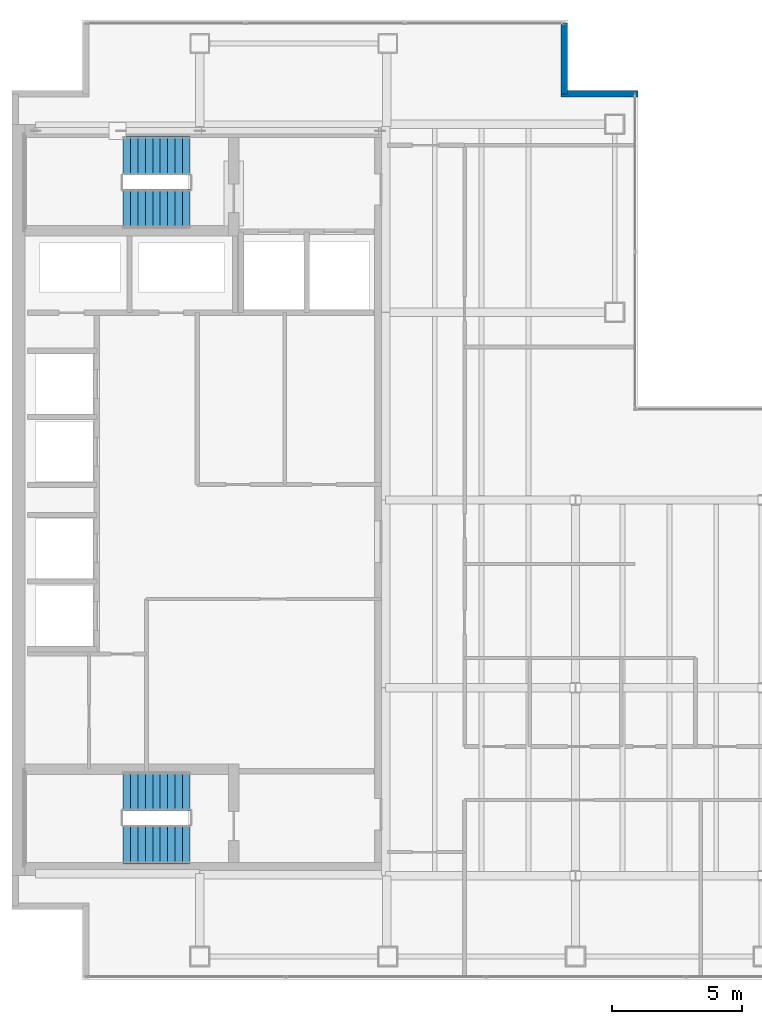
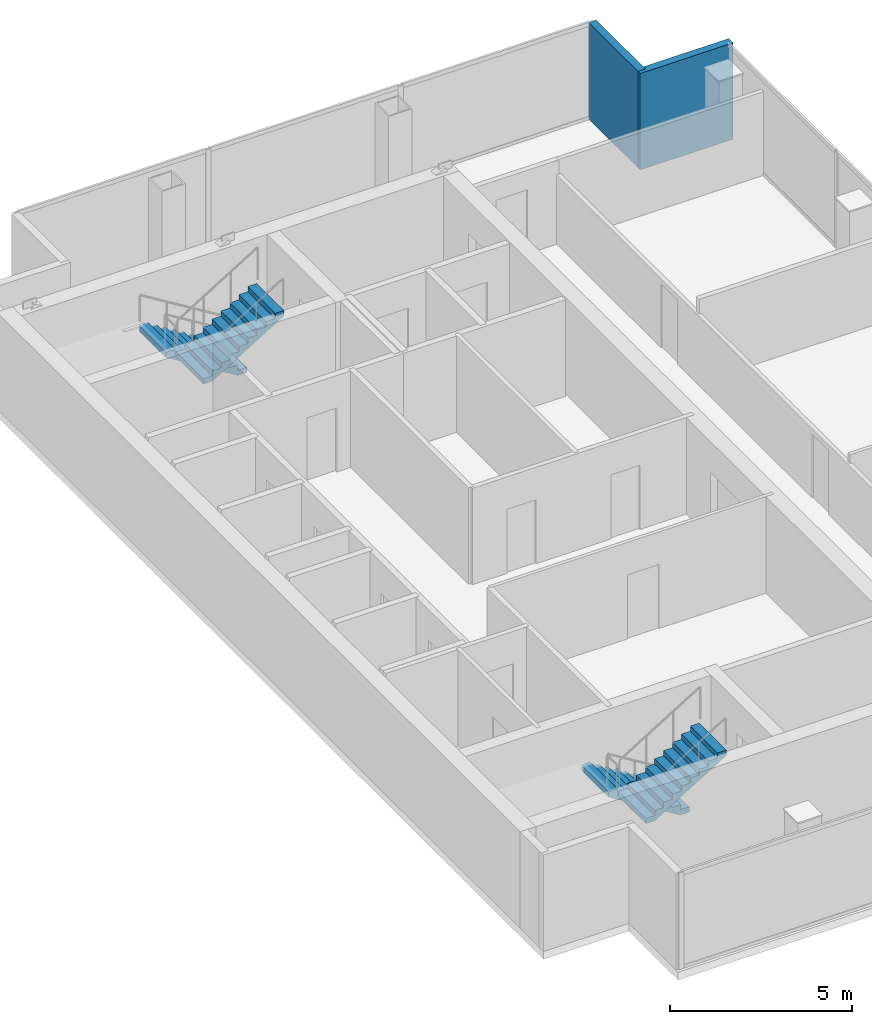
# One storey, part 22 of 23: 4 stair flights, 2 walls, 2 elements without a shape of their own.
"""IFC4 building model written with IfcOpenShell, lengths in metres."""

from ifc_helpers import new_model, si_unit, direction, frame, frame_2d, origin, place, context, subcontext, project, spatial, polyline, rectangle, outline, extrude, material, layer, layer_set, type_object, element, aggregate, save


model = new_model("IFC4")

# Units and contexts
model_context = context("Model", 3, precision=1e-05, world=origin(), true_north=direction((0.0, 1.0)))
body_context = subcontext(model_context, "Body", "Model", "MODEL_VIEW")
ifc_project = project(units=[si_unit("LENGTHUNIT", "METRE"), si_unit("AREAUNIT", "SQUARE_METRE"), si_unit("VOLUMEUNIT", "CUBIC_METRE"), si_unit("PLANEANGLEUNIT", "RADIAN"), si_unit("MASSUNIT", "GRAM", prefix="KILO")], contexts=[model_context])

# Site, building, storey
site_placement = place(None, origin())
site = spatial("IfcSite", under=ifc_project, at=site_placement, CompositionType="ELEMENT")
building_placement = place(site_placement, origin())
building = spatial("IfcBuilding", under=site, at=building_placement, Name="Cobrela Telecom Tower", CompositionType="ELEMENT")
storey_placement = place(building_placement, frame((0.0, 0.0, 229.25)))
storey = spatial("IfcBuildingStorey", under=building, at=storey_placement, Name="L59", CompositionType="ELEMENT", Elevation=229.25)

# Walls
ifc_material = material(Name="Concrete C40/50", Category="concrete")
ifc_layer = layer(ifc_material, 0.239990234375)
ifc_layer_set = layer_set([ifc_layer], Name="Concrete C40/50")
wall_type = type_object("IfcWallType", Name="WALL-EXT-300", PredefinedType="STANDARD", material=ifc_layer_set)
wall_1_placement = place(storey_placement, frame((21.169921875, 39.8798828125, 0.0), z_axis=(0.0, 0.0, 1.0), x_axis=(0.0, -1.0, 0.0)))
element("IfcWall", 1, at=wall_1_placement, inside=storey, type_object=wall_type, Name="L59 Insulated Facade Wall 08", PredefinedType="STANDARD", context=body_context, shape_type="SweptSolid", body=[
    extrude(rectangle(XDim=2.7099609375, YDim=0.239990234375, at=frame_2d((1.35498046875, 0.0))), origin(), (0.0, 0.0, 1.0), 3.239990234375),
])
wall_2_placement = place(storey_placement, frame((21.050048828125, 37.169921875, 0.0), z_axis=(0.0, 0.0, 1.0), x_axis=(1.0, 0.0, 0.0)))
element("IfcWall", 2, at=wall_2_placement, inside=storey, type_object=wall_type, Name="L59 Insulated Facade Wall 09", PredefinedType="STANDARD", context=body_context, shape_type="SweptSolid", body=[
    extrude(rectangle(XDim=2.949951171875, YDim=0.239990234375, at=frame_2d((1.47509765625, 0.0))), origin(), (0.0, 0.0, 1.0), 3.239990234375),
])

# Stair, stair flights
stair_type = type_object("IfcStairType", Name="STAIR-CORE", PredefinedType="HALF_TURN_STAIR", material=ifc_material)
stair_1_placement = place(storey_placement, origin())
stair_1 = element("IfcStair", 3, at=stair_1_placement, inside=storey, type_object=stair_type, Name="L59 Smokeproof Exit Stair ST1", PredefinedType="HALF_TURN_STAIR")
stair_flight_type = type_object("IfcStairFlightType", Name="FLIGHT-CORE", PredefinedType="STRAIGHT", material=ifc_material)
stair_flight_1_placement = place(storey_placement, frame((6.820068359375, 34.800048828125, 0.0), z_axis=(0.0, 0.0, 1.0), x_axis=(-1.0, 0.0, 0.0)))
stair_flight_1 = element("IfcStairFlight", 4, at=stair_flight_1_placement, type_object=stair_flight_type, Name="ST1 flight 1", NumberOfRisers=10, NumberOfTreads=9, PredefinedType="STRAIGHT", RiserHeight=0.175, TreadLength=0.285, context=body_context, shape_type="SweptSolid", body=[
    extrude(outline(polyline([(0.0, 0.0), (0.0, 0.175048828125), (0.284912109375, 0.175048828125), (0.284912109375, 0.35009765625), (0.570068359375, 0.35009765625), (0.570068359375, 0.52490234375), (0.85498046875, 0.52490234375), (0.85498046875, 0.699951171875), (1.139892578125, 0.699951171875), (1.139892578125, 0.875), (1.425048828125, 0.875), (1.425048828125, 1.050048828125), (1.7099609375, 1.050048828125), (1.7099609375, 1.22509765625), (1.9951171875, 1.22509765625), (1.9951171875, 1.39990234375), (2.280029296875, 1.39990234375), (2.280029296875, 1.574951171875), (2.56494140625, 1.574951171875), (2.56494140625, 1.75), (2.56494140625, 1.399169921875), (0.286376953125, 0.0), (0.0, 0.0)])), frame((0.0, 0.75, 0.0), z_axis=(0.0, -1.0, 0.0), x_axis=(1.0, 0.0, 0.0)), (0.0, 0.0, 1.0), 1.5),
])
stair_flight_2_placement = place(storey_placement, frame((4.2548828125, 32.75, 1.75), z_axis=(0.0, 0.0, 1.0), x_axis=(1.0, 0.0, 0.0)))
stair_flight_2 = element("IfcStairFlight", 5, at=stair_flight_2_placement, type_object=stair_flight_type, Name="ST1 flight 2", NumberOfRisers=10, NumberOfTreads=9, PredefinedType="STRAIGHT", RiserHeight=0.175, TreadLength=0.285, context=body_context, shape_type="SweptSolid", body=[
    extrude(outline(polyline([(0.0, 0.0), (0.0, 0.175048828125), (0.284912109375, 0.175048828125), (0.284912109375, 0.35009765625), (0.570068359375, 0.35009765625), (0.570068359375, 0.52490234375), (0.85498046875, 0.52490234375), (0.85498046875, 0.699951171875), (1.139892578125, 0.699951171875), (1.139892578125, 0.875), (1.425048828125, 0.875), (1.425048828125, 1.050048828125), (1.7099609375, 1.050048828125), (1.7099609375, 1.22509765625), (1.9951171875, 1.22509765625), (1.9951171875, 1.39990234375), (2.280029296875, 1.39990234375), (2.280029296875, 1.574951171875), (2.56494140625, 1.574951171875), (2.56494140625, 1.75), (2.56494140625, 1.399169921875), (0.286376953125, 0.0), (0.0, 0.0)])), frame((0.0, 0.75, 0.0), z_axis=(0.0, -1.0, 0.0), x_axis=(1.0, 0.0, 0.0)), (0.0, 0.0, 1.0), 1.5),
])
aggregate(stair_1, [stair_flight_1, stair_flight_2])

stair_2_placement = place(storey_placement, origin())
stair_2 = element("IfcStair", 6, at=stair_2_placement, inside=storey, type_object=stair_type, Name="L59 Smokeproof Exit Stair ST2", PredefinedType="HALF_TURN_STAIR")
stair_flight_3_placement = place(storey_placement, frame((6.820068359375, 10.449951171875, 0.0), z_axis=(0.0, 0.0, 1.0), x_axis=(-1.0, 0.0, 0.0)))
stair_flight_3 = element("IfcStairFlight", 7, at=stair_flight_3_placement, type_object=stair_flight_type, Name="ST2 flight 1", NumberOfRisers=10, NumberOfTreads=9, PredefinedType="STRAIGHT", RiserHeight=0.175, TreadLength=0.285, context=body_context, shape_type="SweptSolid", body=[
    extrude(outline(polyline([(0.0, 0.0), (0.0, 0.175048828125), (0.284912109375, 0.175048828125), (0.284912109375, 0.35009765625), (0.570068359375, 0.35009765625), (0.570068359375, 0.52490234375), (0.85498046875, 0.52490234375), (0.85498046875, 0.699951171875), (1.139892578125, 0.699951171875), (1.139892578125, 0.875), (1.425048828125, 0.875), (1.425048828125, 1.050048828125), (1.7099609375, 1.050048828125), (1.7099609375, 1.22509765625), (1.9951171875, 1.22509765625), (1.9951171875, 1.39990234375), (2.280029296875, 1.39990234375), (2.280029296875, 1.574951171875), (2.56494140625, 1.574951171875), (2.56494140625, 1.75), (2.56494140625, 1.399169921875), (0.286376953125, 0.0), (0.0, 0.0)])), frame((0.0, 0.75, 0.0), z_axis=(0.0, -1.0, 0.0), x_axis=(1.0, 0.0, 0.0)), (0.0, 0.0, 1.0), 1.5),
])
stair_flight_4_placement = place(storey_placement, frame((4.2548828125, 8.39990234375, 1.75), z_axis=(0.0, 0.0, 1.0), x_axis=(1.0, 0.0, 0.0)))
stair_flight_4 = element("IfcStairFlight", 8, at=stair_flight_4_placement, type_object=stair_flight_type, Name="ST2 flight 2", NumberOfRisers=10, NumberOfTreads=9, PredefinedType="STRAIGHT", RiserHeight=0.175, TreadLength=0.285, context=body_context, shape_type="SweptSolid", body=[
    extrude(outline(polyline([(0.0, 0.0), (0.0, 0.175048828125), (0.284912109375, 0.175048828125), (0.284912109375, 0.35009765625), (0.570068359375, 0.35009765625), (0.570068359375, 0.52490234375), (0.85498046875, 0.52490234375), (0.85498046875, 0.699951171875), (1.139892578125, 0.699951171875), (1.139892578125, 0.875), (1.425048828125, 0.875), (1.425048828125, 1.050048828125), (1.7099609375, 1.050048828125), (1.7099609375, 1.22509765625), (1.9951171875, 1.22509765625), (1.9951171875, 1.39990234375), (2.280029296875, 1.39990234375), (2.280029296875, 1.574951171875), (2.56494140625, 1.574951171875), (2.56494140625, 1.75), (2.56494140625, 1.399169921875), (0.286376953125, 0.0), (0.0, 0.0)])), frame((0.0, 0.75, 0.0), z_axis=(0.0, -1.0, 0.0), x_axis=(1.0, 0.0, 0.0)), (0.0, 0.0, 1.0), 1.5),
])
aggregate(stair_2, [stair_flight_3, stair_flight_4])

save(model, "model.ifc")
